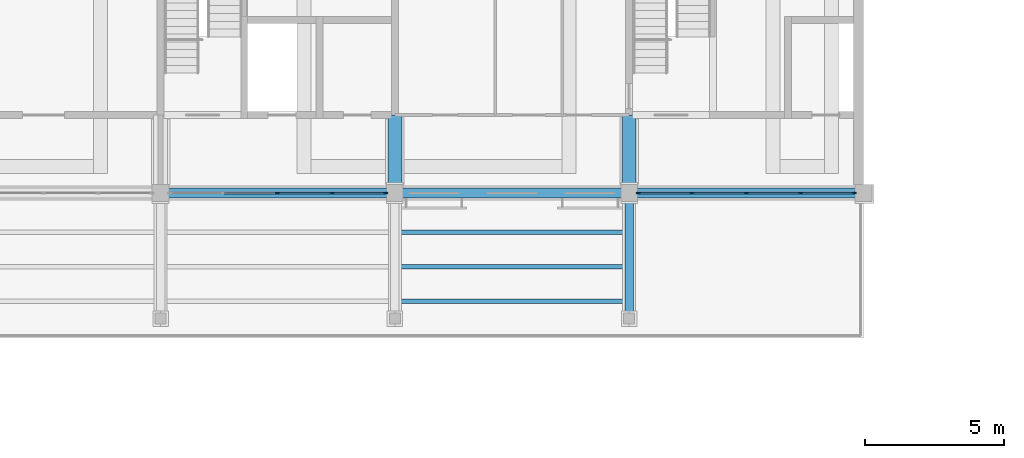
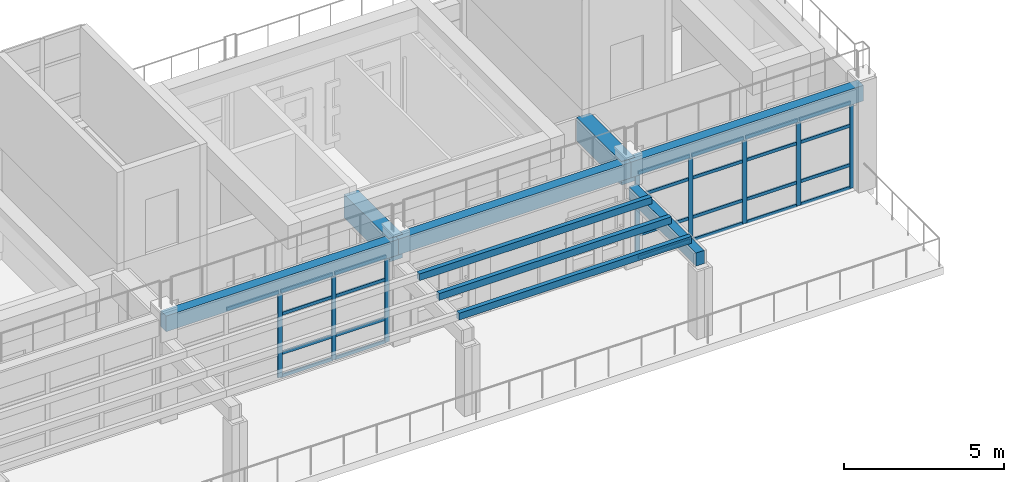
# One storey, part 38 of 105: 36 members, 6 beams, 2 elements without a shape of their own.
"""IFC4 building model written with IfcOpenShell, lengths in metres."""

from ifc_helpers import new_model, si_unit, direction, frame, origin, origin_2d, place, context, subcontext, project, spatial, rectangle, extrude, material, layer, layer_set, material_profile, profile_set, type_object, element, aggregate, save


model = new_model("IFC4")

# Units and contexts
model_context = context("Model", 3, precision=1e-05, world=origin(), true_north=direction((0.0, 1.0)))
body_context = subcontext(model_context, "Body", "Model", "MODEL_VIEW")
ifc_project = project(units=[si_unit("LENGTHUNIT", "METRE"), si_unit("AREAUNIT", "SQUARE_METRE"), si_unit("VOLUMEUNIT", "CUBIC_METRE"), si_unit("PLANEANGLEUNIT", "RADIAN"), si_unit("MASSUNIT", "GRAM", prefix="KILO")], contexts=[model_context])

# Site, building, storey
site_placement = place(None, origin())
site = spatial("IfcSite", under=ifc_project, at=site_placement, CompositionType="ELEMENT")
building_placement = place(site_placement, origin())
building = spatial("IfcBuilding", under=site, at=building_placement, Name="Wasatch Bagh Community Centre", CompositionType="ELEMENT")
storey_placement = place(building_placement, frame((0.0, 0.0, 16.800048828125)))
storey = spatial("IfcBuildingStorey", under=building, at=storey_placement, Name="L04", CompositionType="ELEMENT", Elevation=16.800048828125)

# Beams
ifc_material_1 = material(Name="Concrete C35", Category="concrete")
ifc_material_profile_1 = material_profile(ifc_material_1, rectangle(XDim=0.300048828125, YDim=0.5, at=origin_2d()), Name="RC 300x500")
ifc_profile_set_1 = profile_set([ifc_material_profile_1], Name="Concrete C35")
beam_type_1 = type_object("IfcBeamType", Name="LW RC 300x500", PredefinedType="BEAM", material=ifc_profile_set_1)
beam_1_placement = place(storey_placement, frame((122.800048828125, 87.300048828125, 2.849853515625), z_axis=(0.0, -1.0, 0.0), x_axis=(1.0, 0.0, 0.0)))
element("IfcBeam", 1, at=beam_1_placement, inside=storey, type_object=beam_type_1, Name="Pergola beam T4", PredefinedType="BEAM", context=body_context, shape_type="SweptSolid", body=[
    extrude(rectangle(XDim=0.300048828125, YDim=0.5, at=origin_2d()), origin(), (0.0, 0.0, 1.0), 4.199951171875),
])
ifc_material_profile_2 = material_profile(ifc_material_1, rectangle(XDim=0.35009765625, YDim=0.60009765625, at=origin_2d()), Name="RC 350x600")
ifc_profile_set_2 = profile_set([ifc_material_profile_2], Name="Concrete C35")
beam_type_2 = type_object("IfcBeamType", Name="LW RC 350x600", PredefinedType="BEAM", material=ifc_profile_set_2)
beam_2_placement = place(storey_placement, frame((106.0, 87.60009765625, 3.599853515625), z_axis=(1.0, 0.0, 0.0), x_axis=(0.0, 1.0, 0.0)))
element("IfcBeam", 2, at=beam_2_placement, inside=storey, type_object=beam_type_2, Name="W6-W7M", PredefinedType="BEAM", context=body_context, shape_type="SweptSolid", body=[
    extrude(rectangle(XDim=0.35009765625, YDim=0.60009765625, at=origin_2d()), origin(), (0.0, 0.0, 1.0), 8.39990234375),
])
beam_3_placement = place(storey_placement, frame((114.39990234375, 87.60009765625, 3.599853515625), z_axis=(1.0, 0.0, 0.0), x_axis=(0.0, 1.0, 0.0)))
element("IfcBeam", 3, at=beam_3_placement, inside=storey, type_object=beam_type_2, Name="W7-W8M", PredefinedType="BEAM", context=body_context, shape_type="SweptSolid", body=[
    extrude(rectangle(XDim=0.35009765625, YDim=0.60009765625, at=origin_2d()), origin(), (0.0, 0.0, 1.0), 8.400146484375),
])
beam_4_placement = place(storey_placement, frame((122.800048828125, 87.60009765625, 3.599853515625), z_axis=(1.0, 0.0, 0.0), x_axis=(0.0, 1.0, 0.0)))
element("IfcBeam", 4, at=beam_4_placement, inside=storey, type_object=beam_type_2, Name="W8-W9M", PredefinedType="BEAM", context=body_context, shape_type="SweptSolid", body=[
    extrude(rectangle(XDim=0.35009765625, YDim=0.60009765625, at=origin_2d()), origin(), (0.0, 0.0, 1.0), 8.39990234375),
])
ifc_material_profile_3 = material_profile(ifc_material_1, rectangle(XDim=0.5, YDim=0.89990234375, at=origin_2d()), Name="RC 500x900")
ifc_profile_set_3 = profile_set([ifc_material_profile_3], Name="Concrete C35")
beam_type_3 = type_object("IfcBeamType", Name="LW RC 500x900", PredefinedType="BEAM", material=ifc_profile_set_3)
for number, where, z_axis, x_axis, name in (
    (5, (114.39990234375, 87.60009765625, 3.449951171875), (0.0, 1.0, 0.0), (-1.0, 0.0, 0.0), "W7M-N"),
    (6, (122.800048828125, 87.60009765625, 3.449951171875), (0.0, 1.0, 0.0), (-1.0, 0.0, 0.0), "W8M-N"),
):
    element("IfcBeam", number, at=place(storey_placement, frame(where, z_axis=z_axis, x_axis=x_axis)), inside=storey, type_object=beam_type_3, Name=name, PredefinedType="BEAM", context=body_context, shape_type="SweptSolid", body=[
        extrude(rectangle(XDim=0.5, YDim=0.89990234375, at=origin_2d()), origin(), (0.0, 0.0, 1.0), 2.7998046875),
    ])

# Curtain wall, members
ifc_material_2 = material(Name="Aluminium curtain wall frame with low-iron glass", Category="aluminium")
ifc_layer = layer(ifc_material_2, 0.139892578125)
ifc_layer_set = layer_set([ifc_layer], Name="Aluminium curtain wall frame with low-iron glass")
curtain_wall_type = type_object("IfcCurtainWallType", Name="LW terrace front curtain wall 140", PredefinedType="NOTDEFINED", material=ifc_layer_set)
curtain_wall_1_placement = place(storey_placement, origin())
curtain_wall_1 = element("IfcCurtainWall", 7, at=curtain_wall_1_placement, inside=storey, type_object=curtain_wall_type, Name="Curtain wall 04.03", PredefinedType="NOTDEFINED")
ifc_material_3 = material(Name="Aluminium extrusion", Category="aluminium")
ifc_material_profile_4 = material_profile(ifc_material_3, rectangle(XDim=0.06005859375, YDim=0.159912109375, at=origin_2d()), Name="AL 60x160")
ifc_profile_set_4 = profile_set([ifc_material_profile_4], Name="Aluminium extrusion")
member_type_1 = type_object("IfcMemberType", Name="LW curtain wall mullion 60x160 LW-CW3", PredefinedType="MULLION", material=ifc_profile_set_4)
member_1_placement = place(storey_placement, frame((110.199951171875, 87.60009765625, 0.0), z_axis=(0.0, 0.0, 1.0), x_axis=(0.0, 1.0, 0.0)))
member_1 = element("IfcMember", 8, at=member_1_placement, type_object=member_type_1, Name="LW-CW3 mullion 3", PredefinedType="MULLION", context=body_context, shape_type="SweptSolid", body=[
    extrude(rectangle(XDim=0.06005859375, YDim=0.159912109375, at=origin_2d()), origin(), (0.0, 0.0, 1.0), 3.300048828125),
])
member_2_placement = place(storey_placement, frame((112.14990234375, 87.60009765625, 0.0), z_axis=(0.0, 0.0, 1.0), x_axis=(0.0, 1.0, 0.0)))
member_2 = element("IfcMember", 9, at=member_2_placement, type_object=member_type_1, Name="LW-CW3 mullion 4", PredefinedType="MULLION", context=body_context, shape_type="SweptSolid", body=[
    extrude(rectangle(XDim=0.06005859375, YDim=0.159912109375, at=origin_2d()), origin(), (0.0, 0.0, 1.0), 3.300048828125),
])
member_3_placement = place(storey_placement, frame((114.070068359375, 87.60009765625, 0.0), z_axis=(0.0, 0.0, 1.0), x_axis=(0.0, 1.0, 0.0)))
member_3 = element("IfcMember", 10, at=member_3_placement, type_object=member_type_1, Name="LW-CW3 mullion 5", PredefinedType="MULLION", context=body_context, shape_type="SweptSolid", body=[
    extrude(rectangle(XDim=0.06005859375, YDim=0.159912109375, at=origin_2d()), origin(), (0.0, 0.0, 1.0), 3.300048828125),
])

curtain_wall_2_placement = place(storey_placement, origin())
curtain_wall_2 = element("IfcCurtainWall", 11, at=curtain_wall_2_placement, inside=storey, type_object=curtain_wall_type, Name="Curtain wall 04.04", PredefinedType="NOTDEFINED")
member_4_placement = place(storey_placement, frame((123.1298828125, 87.60009765625, 0.0), z_axis=(0.0, 0.0, 1.0), x_axis=(0.0, 1.0, 0.0)))
member_4 = element("IfcMember", 12, at=member_4_placement, type_object=member_type_1, Name="LW-CW3 mullion 1", PredefinedType="MULLION", context=body_context, shape_type="SweptSolid", body=[
    extrude(rectangle(XDim=0.06005859375, YDim=0.159912109375, at=origin_2d()), origin(), (0.0, 0.0, 1.0), 3.300048828125),
])
member_5_placement = place(storey_placement, frame((125.050048828125, 87.60009765625, 0.0), z_axis=(0.0, 0.0, 1.0), x_axis=(0.0, 1.0, 0.0)))
member_5 = element("IfcMember", 13, at=member_5_placement, type_object=member_type_1, Name="LW-CW3 mullion 2", PredefinedType="MULLION", context=body_context, shape_type="SweptSolid", body=[
    extrude(rectangle(XDim=0.06005859375, YDim=0.159912109375, at=origin_2d()), origin(), (0.0, 0.0, 1.0), 3.300048828125),
])
member_6_placement = place(storey_placement, frame((127.0, 87.60009765625, 0.0), z_axis=(0.0, 0.0, 1.0), x_axis=(0.0, 1.0, 0.0)))
member_6 = element("IfcMember", 14, at=member_6_placement, type_object=member_type_1, Name="LW-CW3 mullion 3", PredefinedType="MULLION", context=body_context, shape_type="SweptSolid", body=[
    extrude(rectangle(XDim=0.06005859375, YDim=0.159912109375, at=origin_2d()), origin(), (0.0, 0.0, 1.0), 3.300048828125),
])
member_7_placement = place(storey_placement, frame((128.949951171875, 87.60009765625, 0.0), z_axis=(0.0, 0.0, 1.0), x_axis=(0.0, 1.0, 0.0)))
member_7 = element("IfcMember", 15, at=member_7_placement, type_object=member_type_1, Name="LW-CW3 mullion 4", PredefinedType="MULLION", context=body_context, shape_type="SweptSolid", body=[
    extrude(rectangle(XDim=0.06005859375, YDim=0.159912109375, at=origin_2d()), origin(), (0.0, 0.0, 1.0), 3.300048828125),
])
member_8_placement = place(storey_placement, frame((130.8701171875, 87.60009765625, 0.0), z_axis=(0.0, 0.0, 1.0), x_axis=(0.0, 1.0, 0.0)))
member_8 = element("IfcMember", 16, at=member_8_placement, type_object=member_type_1, Name="LW-CW3 mullion 5", PredefinedType="MULLION", context=body_context, shape_type="SweptSolid", body=[
    extrude(rectangle(XDim=0.06005859375, YDim=0.159912109375, at=origin_2d()), origin(), (0.0, 0.0, 1.0), 3.300048828125),
])

# Member
ifc_material_profile_5 = material_profile(ifc_material_3, rectangle(XDim=0.06005859375, YDim=0.1201171875, at=origin_2d()), Name="AL 60x120")
ifc_profile_set_5 = profile_set([ifc_material_profile_5], Name="Aluminium extrusion")
member_type_2 = type_object("IfcMemberType", Name="LW curtain wall transom 60x120 LW-CW3", PredefinedType="USERDEFINED", material=ifc_profile_set_5)
member_9_placement = place(storey_placement, frame((108.280029296875, 87.60009765625, 3.27001953125), z_axis=(1.0, 0.0, 0.0), x_axis=(0.0, 1.0, 0.0)))
member_9 = element("IfcMember", 17, at=member_9_placement, type_object=member_type_2, Name="LW-CW3 transom 2.4", ObjectType="TRANSOM", PredefinedType="USERDEFINED", context=body_context, shape_type="SweptSolid", body=[
    extrude(rectangle(XDim=0.06005859375, YDim=0.1201171875, at=origin_2d()), origin(), (0.0, 0.0, 1.0), 1.889892578125),
])

member_10_placement = place(storey_placement, frame((110.22998046875, 87.60009765625, 0.030029296875), z_axis=(1.0, 0.0, 0.0), x_axis=(0.0, 1.0, 0.0)))
member_10 = element("IfcMember", 18, at=member_10_placement, type_object=member_type_2, Name="LW-CW3 transom 3.1", ObjectType="TRANSOM", PredefinedType="USERDEFINED", context=body_context, shape_type="SweptSolid", body=[
    extrude(rectangle(XDim=0.06005859375, YDim=0.1201171875, at=origin_2d()), origin(), (0.0, 0.0, 1.0), 1.89013671875),
])

member_11_placement = place(storey_placement, frame((110.22998046875, 87.60009765625, 0.89990234375), z_axis=(1.0, 0.0, 0.0), x_axis=(0.0, 1.0, 0.0)))
member_11 = element("IfcMember", 19, at=member_11_placement, type_object=member_type_2, Name="LW-CW3 transom 3.2", ObjectType="TRANSOM", PredefinedType="USERDEFINED", context=body_context, shape_type="SweptSolid", body=[
    extrude(rectangle(XDim=0.06005859375, YDim=0.1201171875, at=origin_2d()), origin(), (0.0, 0.0, 1.0), 1.89013671875),
])

member_12_placement = place(storey_placement, frame((110.22998046875, 87.60009765625, 2.39990234375), z_axis=(1.0, 0.0, 0.0), x_axis=(0.0, 1.0, 0.0)))
member_12 = element("IfcMember", 20, at=member_12_placement, type_object=member_type_2, Name="LW-CW3 transom 3.3", ObjectType="TRANSOM", PredefinedType="USERDEFINED", context=body_context, shape_type="SweptSolid", body=[
    extrude(rectangle(XDim=0.06005859375, YDim=0.1201171875, at=origin_2d()), origin(), (0.0, 0.0, 1.0), 1.89013671875),
])

member_13_placement = place(storey_placement, frame((110.22998046875, 87.60009765625, 3.27001953125), z_axis=(1.0, 0.0, 0.0), x_axis=(0.0, 1.0, 0.0)))
member_13 = element("IfcMember", 21, at=member_13_placement, type_object=member_type_2, Name="LW-CW3 transom 3.4", ObjectType="TRANSOM", PredefinedType="USERDEFINED", context=body_context, shape_type="SweptSolid", body=[
    extrude(rectangle(XDim=0.06005859375, YDim=0.1201171875, at=origin_2d()), origin(), (0.0, 0.0, 1.0), 1.89013671875),
])

member_14_placement = place(storey_placement, frame((112.179931640625, 87.60009765625, 0.030029296875), z_axis=(1.0, 0.0, 0.0), x_axis=(0.0, 1.0, 0.0)))
member_14 = element("IfcMember", 22, at=member_14_placement, type_object=member_type_2, Name="LW-CW3 transom 4.1", ObjectType="TRANSOM", PredefinedType="USERDEFINED", context=body_context, shape_type="SweptSolid", body=[
    extrude(rectangle(XDim=0.06005859375, YDim=0.1201171875, at=origin_2d()), origin(), (0.0, 0.0, 1.0), 1.860107421875),
])

member_15_placement = place(storey_placement, frame((112.179931640625, 87.60009765625, 0.89990234375), z_axis=(1.0, 0.0, 0.0), x_axis=(0.0, 1.0, 0.0)))
member_15 = element("IfcMember", 23, at=member_15_placement, type_object=member_type_2, Name="LW-CW3 transom 4.2", ObjectType="TRANSOM", PredefinedType="USERDEFINED", context=body_context, shape_type="SweptSolid", body=[
    extrude(rectangle(XDim=0.06005859375, YDim=0.1201171875, at=origin_2d()), origin(), (0.0, 0.0, 1.0), 1.860107421875),
])

member_16_placement = place(storey_placement, frame((112.179931640625, 87.60009765625, 2.39990234375), z_axis=(1.0, 0.0, 0.0), x_axis=(0.0, 1.0, 0.0)))
member_16 = element("IfcMember", 24, at=member_16_placement, type_object=member_type_2, Name="LW-CW3 transom 4.3", ObjectType="TRANSOM", PredefinedType="USERDEFINED", context=body_context, shape_type="SweptSolid", body=[
    extrude(rectangle(XDim=0.06005859375, YDim=0.1201171875, at=origin_2d()), origin(), (0.0, 0.0, 1.0), 1.860107421875),
])

member_17_placement = place(storey_placement, frame((112.179931640625, 87.60009765625, 3.27001953125), z_axis=(1.0, 0.0, 0.0), x_axis=(0.0, 1.0, 0.0)))
member_17 = element("IfcMember", 25, at=member_17_placement, type_object=member_type_2, Name="LW-CW3 transom 4.4", ObjectType="TRANSOM", PredefinedType="USERDEFINED", context=body_context, shape_type="SweptSolid", body=[
    extrude(rectangle(XDim=0.06005859375, YDim=0.1201171875, at=origin_2d()), origin(), (0.0, 0.0, 1.0), 1.860107421875),
])

aggregate(curtain_wall_1, [member_1, member_2, member_3, member_9, member_10, member_11, member_12, member_13, member_14, member_15, member_16, member_17])

member_18_placement = place(storey_placement, frame((123.159912109375, 87.60009765625, 0.030029296875), z_axis=(1.0, 0.0, 0.0), x_axis=(0.0, 1.0, 0.0)))
member_18 = element("IfcMember", 26, at=member_18_placement, type_object=member_type_2, Name="LW-CW3 transom 1.1", ObjectType="TRANSOM", PredefinedType="USERDEFINED", context=body_context, shape_type="SweptSolid", body=[
    extrude(rectangle(XDim=0.06005859375, YDim=0.1201171875, at=origin_2d()), origin(), (0.0, 0.0, 1.0), 1.860107421875),
])

member_19_placement = place(storey_placement, frame((123.159912109375, 87.60009765625, 0.89990234375), z_axis=(1.0, 0.0, 0.0), x_axis=(0.0, 1.0, 0.0)))
member_19 = element("IfcMember", 27, at=member_19_placement, type_object=member_type_2, Name="LW-CW3 transom 1.2", ObjectType="TRANSOM", PredefinedType="USERDEFINED", context=body_context, shape_type="SweptSolid", body=[
    extrude(rectangle(XDim=0.06005859375, YDim=0.1201171875, at=origin_2d()), origin(), (0.0, 0.0, 1.0), 1.860107421875),
])

member_20_placement = place(storey_placement, frame((123.159912109375, 87.60009765625, 2.39990234375), z_axis=(1.0, 0.0, 0.0), x_axis=(0.0, 1.0, 0.0)))
member_20 = element("IfcMember", 28, at=member_20_placement, type_object=member_type_2, Name="LW-CW3 transom 1.3", ObjectType="TRANSOM", PredefinedType="USERDEFINED", context=body_context, shape_type="SweptSolid", body=[
    extrude(rectangle(XDim=0.06005859375, YDim=0.1201171875, at=origin_2d()), origin(), (0.0, 0.0, 1.0), 1.860107421875),
])

member_21_placement = place(storey_placement, frame((123.159912109375, 87.60009765625, 3.27001953125), z_axis=(1.0, 0.0, 0.0), x_axis=(0.0, 1.0, 0.0)))
member_21 = element("IfcMember", 29, at=member_21_placement, type_object=member_type_2, Name="LW-CW3 transom 1.4", ObjectType="TRANSOM", PredefinedType="USERDEFINED", context=body_context, shape_type="SweptSolid", body=[
    extrude(rectangle(XDim=0.06005859375, YDim=0.1201171875, at=origin_2d()), origin(), (0.0, 0.0, 1.0), 1.860107421875),
])

member_22_placement = place(storey_placement, frame((125.080078125, 87.60009765625, 0.030029296875), z_axis=(1.0, 0.0, 0.0), x_axis=(0.0, 1.0, 0.0)))
member_22 = element("IfcMember", 30, at=member_22_placement, type_object=member_type_2, Name="LW-CW3 transom 2.1", ObjectType="TRANSOM", PredefinedType="USERDEFINED", context=body_context, shape_type="SweptSolid", body=[
    extrude(rectangle(XDim=0.06005859375, YDim=0.1201171875, at=origin_2d()), origin(), (0.0, 0.0, 1.0), 1.889892578125),
])

member_23_placement = place(storey_placement, frame((125.080078125, 87.60009765625, 0.89990234375), z_axis=(1.0, 0.0, 0.0), x_axis=(0.0, 1.0, 0.0)))
member_23 = element("IfcMember", 31, at=member_23_placement, type_object=member_type_2, Name="LW-CW3 transom 2.2", ObjectType="TRANSOM", PredefinedType="USERDEFINED", context=body_context, shape_type="SweptSolid", body=[
    extrude(rectangle(XDim=0.06005859375, YDim=0.1201171875, at=origin_2d()), origin(), (0.0, 0.0, 1.0), 1.889892578125),
])

member_24_placement = place(storey_placement, frame((125.080078125, 87.60009765625, 2.39990234375), z_axis=(1.0, 0.0, 0.0), x_axis=(0.0, 1.0, 0.0)))
member_24 = element("IfcMember", 32, at=member_24_placement, type_object=member_type_2, Name="LW-CW3 transom 2.3", ObjectType="TRANSOM", PredefinedType="USERDEFINED", context=body_context, shape_type="SweptSolid", body=[
    extrude(rectangle(XDim=0.06005859375, YDim=0.1201171875, at=origin_2d()), origin(), (0.0, 0.0, 1.0), 1.889892578125),
])

member_25_placement = place(storey_placement, frame((125.080078125, 87.60009765625, 3.27001953125), z_axis=(1.0, 0.0, 0.0), x_axis=(0.0, 1.0, 0.0)))
member_25 = element("IfcMember", 33, at=member_25_placement, type_object=member_type_2, Name="LW-CW3 transom 2.4", ObjectType="TRANSOM", PredefinedType="USERDEFINED", context=body_context, shape_type="SweptSolid", body=[
    extrude(rectangle(XDim=0.06005859375, YDim=0.1201171875, at=origin_2d()), origin(), (0.0, 0.0, 1.0), 1.889892578125),
])

member_26_placement = place(storey_placement, frame((127.030029296875, 87.60009765625, 0.030029296875), z_axis=(1.0, 0.0, 0.0), x_axis=(0.0, 1.0, 0.0)))
member_26 = element("IfcMember", 34, at=member_26_placement, type_object=member_type_2, Name="LW-CW3 transom 3.1", ObjectType="TRANSOM", PredefinedType="USERDEFINED", context=body_context, shape_type="SweptSolid", body=[
    extrude(rectangle(XDim=0.06005859375, YDim=0.1201171875, at=origin_2d()), origin(), (0.0, 0.0, 1.0), 1.889892578125),
])

member_27_placement = place(storey_placement, frame((127.030029296875, 87.60009765625, 0.89990234375), z_axis=(1.0, 0.0, 0.0), x_axis=(0.0, 1.0, 0.0)))
member_27 = element("IfcMember", 35, at=member_27_placement, type_object=member_type_2, Name="LW-CW3 transom 3.2", ObjectType="TRANSOM", PredefinedType="USERDEFINED", context=body_context, shape_type="SweptSolid", body=[
    extrude(rectangle(XDim=0.06005859375, YDim=0.1201171875, at=origin_2d()), origin(), (0.0, 0.0, 1.0), 1.889892578125),
])

member_28_placement = place(storey_placement, frame((127.030029296875, 87.60009765625, 2.39990234375), z_axis=(1.0, 0.0, 0.0), x_axis=(0.0, 1.0, 0.0)))
member_28 = element("IfcMember", 36, at=member_28_placement, type_object=member_type_2, Name="LW-CW3 transom 3.3", ObjectType="TRANSOM", PredefinedType="USERDEFINED", context=body_context, shape_type="SweptSolid", body=[
    extrude(rectangle(XDim=0.06005859375, YDim=0.1201171875, at=origin_2d()), origin(), (0.0, 0.0, 1.0), 1.889892578125),
])

member_29_placement = place(storey_placement, frame((127.030029296875, 87.60009765625, 3.27001953125), z_axis=(1.0, 0.0, 0.0), x_axis=(0.0, 1.0, 0.0)))
member_29 = element("IfcMember", 37, at=member_29_placement, type_object=member_type_2, Name="LW-CW3 transom 3.4", ObjectType="TRANSOM", PredefinedType="USERDEFINED", context=body_context, shape_type="SweptSolid", body=[
    extrude(rectangle(XDim=0.06005859375, YDim=0.1201171875, at=origin_2d()), origin(), (0.0, 0.0, 1.0), 1.889892578125),
])

member_30_placement = place(storey_placement, frame((128.97998046875, 87.60009765625, 0.030029296875), z_axis=(1.0, 0.0, 0.0), x_axis=(0.0, 1.0, 0.0)))
member_30 = element("IfcMember", 38, at=member_30_placement, type_object=member_type_2, Name="LW-CW3 transom 4.1", ObjectType="TRANSOM", PredefinedType="USERDEFINED", context=body_context, shape_type="SweptSolid", body=[
    extrude(rectangle(XDim=0.06005859375, YDim=0.1201171875, at=origin_2d()), origin(), (0.0, 0.0, 1.0), 1.860107421875),
])

member_31_placement = place(storey_placement, frame((128.97998046875, 87.60009765625, 0.89990234375), z_axis=(1.0, 0.0, 0.0), x_axis=(0.0, 1.0, 0.0)))
member_31 = element("IfcMember", 39, at=member_31_placement, type_object=member_type_2, Name="LW-CW3 transom 4.2", ObjectType="TRANSOM", PredefinedType="USERDEFINED", context=body_context, shape_type="SweptSolid", body=[
    extrude(rectangle(XDim=0.06005859375, YDim=0.1201171875, at=origin_2d()), origin(), (0.0, 0.0, 1.0), 1.860107421875),
])

member_32_placement = place(storey_placement, frame((128.97998046875, 87.60009765625, 2.39990234375), z_axis=(1.0, 0.0, 0.0), x_axis=(0.0, 1.0, 0.0)))
member_32 = element("IfcMember", 40, at=member_32_placement, type_object=member_type_2, Name="LW-CW3 transom 4.3", ObjectType="TRANSOM", PredefinedType="USERDEFINED", context=body_context, shape_type="SweptSolid", body=[
    extrude(rectangle(XDim=0.06005859375, YDim=0.1201171875, at=origin_2d()), origin(), (0.0, 0.0, 1.0), 1.860107421875),
])

member_33_placement = place(storey_placement, frame((128.97998046875, 87.60009765625, 3.27001953125), z_axis=(1.0, 0.0, 0.0), x_axis=(0.0, 1.0, 0.0)))
member_33 = element("IfcMember", 41, at=member_33_placement, type_object=member_type_2, Name="LW-CW3 transom 4.4", ObjectType="TRANSOM", PredefinedType="USERDEFINED", context=body_context, shape_type="SweptSolid", body=[
    extrude(rectangle(XDim=0.06005859375, YDim=0.1201171875, at=origin_2d()), origin(), (0.0, 0.0, 1.0), 1.860107421875),
])

aggregate(curtain_wall_2, [member_4, member_5, member_6, member_7, member_8, member_18, member_19, member_20, member_21, member_22, member_23, member_24, member_25, member_26, member_27, member_28, member_29, member_30, member_31, member_32, member_33])

# Members
ifc_material_4 = material(Name="Glued laminated timber GL24h", Category="wood")
ifc_material_profile_6 = material_profile(ifc_material_4, rectangle(XDim=0.159912109375, YDim=0.260009765625, at=origin_2d()), Name="GL 160x260")
ifc_profile_set_6 = profile_set([ifc_material_profile_6], Name="Glued laminated timber GL24h")
member_type_3 = type_object("IfcMemberType", Name="LW pergola slat 160x260", PredefinedType="MEMBER", material=ifc_profile_set_6)
for number, where, z_axis, x_axis, name in (
    (42, (114.39990234375, 83.719970703125, 3.22998046875), (1.0, 0.0, 0.0), (0.0, 1.0, 0.0), "Pergola slat T4"),
    (43, (114.39990234375, 84.9599609375, 3.22998046875), (1.0, 0.0, 0.0), (0.0, 1.0, 0.0), "Pergola slat T4"),
    (44, (114.39990234375, 86.199951171875, 3.22998046875), (1.0, 0.0, 0.0), (0.0, 1.0, 0.0), "Pergola slat T4"),
):
    element("IfcMember", number, at=place(storey_placement, frame(where, z_axis=z_axis, x_axis=x_axis)), inside=storey, type_object=member_type_3, Name=name, PredefinedType="MEMBER", context=body_context, shape_type="SweptSolid", body=[
        extrude(rectangle(XDim=0.159912109375, YDim=0.260009765625, at=origin_2d()), origin(), (0.0, 0.0, 1.0), 8.400146484375),
    ])

save(model, "model.ifc")
